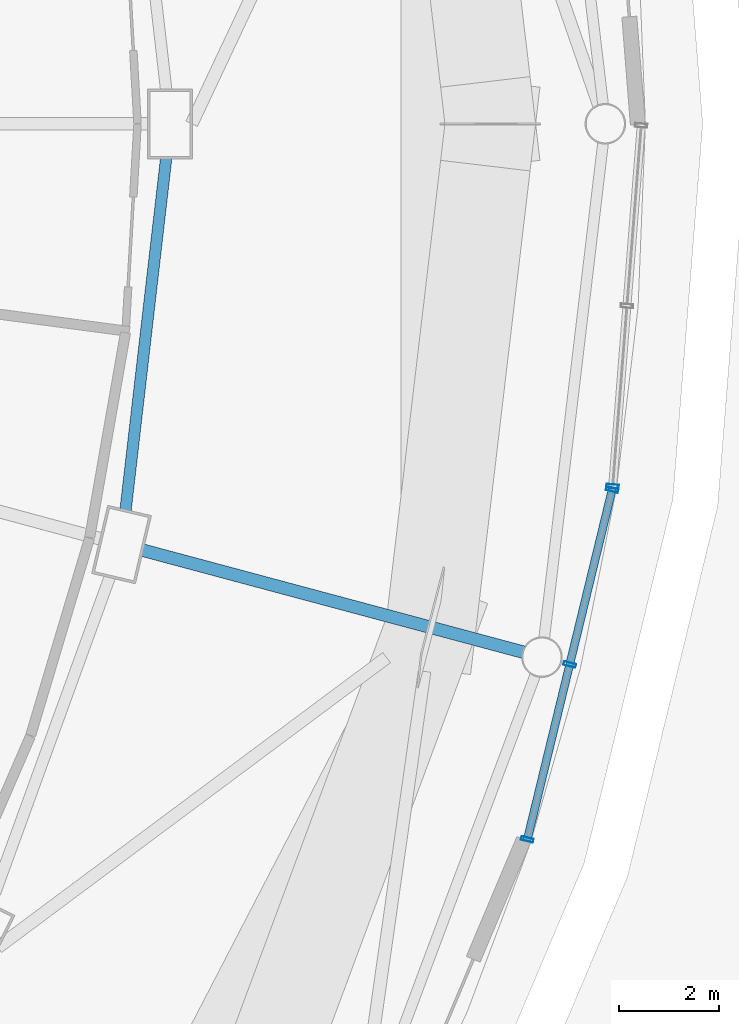
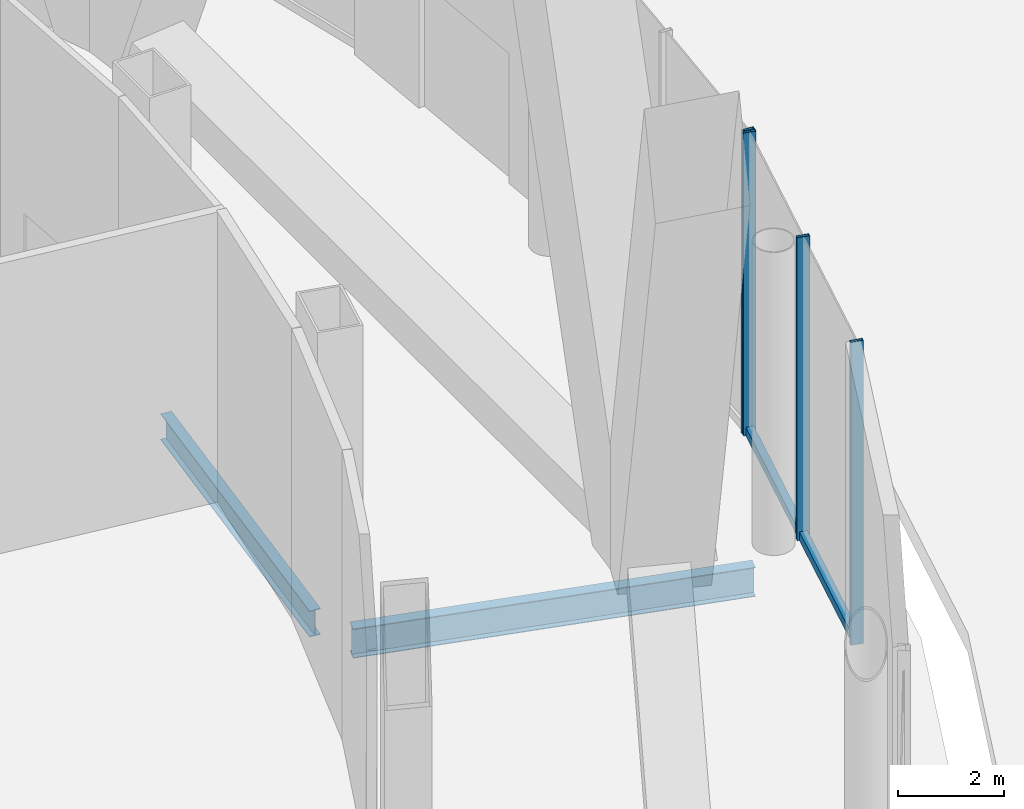
# One storey, part 34 of 67: 5 members, 2 beams, 2 elements without a shape of their own.
"""IFC4 building model written with IfcOpenShell, lengths in metres."""

from ifc_helpers import new_model, si_unit, direction, frame, origin, origin_2d, place, context, subcontext, project, spatial, hollow_rectangle, i_section, extrude, material, layer, layer_set, material_profile, profile_set, type_object, element, aggregate, save


model = new_model("IFC4")

# Units and contexts
model_context = context("Model", 3, precision=1e-05, world=origin(), true_north=direction((0.0, 1.0)))
body_context = subcontext(model_context, "Body", "Model", "MODEL_VIEW")
ifc_project = project(units=[si_unit("LENGTHUNIT", "METRE"), si_unit("AREAUNIT", "SQUARE_METRE"), si_unit("VOLUMEUNIT", "CUBIC_METRE"), si_unit("PLANEANGLEUNIT", "RADIAN"), si_unit("MASSUNIT", "GRAM", prefix="KILO")], contexts=[model_context])

# Site, building, storey
site_placement = place(None, origin())
site = spatial("IfcSite", under=ifc_project, at=site_placement, CompositionType="ELEMENT")
building_placement = place(site_placement, origin())
building = spatial("IfcBuilding", under=site, at=building_placement, Name="Nagisa Residences", CompositionType="ELEMENT")
storey_placement = place(building_placement, origin())
storey = spatial("IfcBuildingStorey", under=building, at=storey_placement, Name="L00", CompositionType="ELEMENT", Elevation=0.0)

# Beam
ifc_material_1 = material(Name="Steel ASTM A572 Gr 50", Category="steel")
ifc_material_profile_1 = material_profile(ifc_material_1, i_section(OverallWidth=0.2529296875, OverallDepth=0.677978515625, WebThickness=0.01171875, FlangeThickness=0.016357421875, at=origin_2d()), Name="W690x125")
ifc_profile_set_1 = profile_set([ifc_material_profile_1], Name="Steel ASTM A572 Gr 50")
beam_type_1 = type_object("IfcBeamType", Name="Atrium outer beam W690x125", PredefinedType="BEAM", material=ifc_profile_set_1)
beam_1_placement = place(storey_placement, frame((31.54443359375, -8.52294921875, -0.739013671875), z_axis=(0.965928422324, -0.258809356376, 0.0), x_axis=(0.258809356376, 0.965928422324, 0.0)))
element("IfcBeam", 1, at=beam_1_placement, inside=storey, type_object=beam_type_1, Name="beam:L00:er24", PredefinedType="BEAM", context=body_context, shape_type="SweptSolid", body=[
    extrude(i_section(OverallWidth=0.2529296875, OverallDepth=0.677978515625, WebThickness=0.01171875, FlangeThickness=0.016357421875, at=origin_2d()), origin(), (0.0, 0.0, 1.0), 7.88330078125),
])

# Curtain wall, members
ifc_material_2 = material(Name="Stainless steel curtain wall system", Category="steel")
ifc_layer = layer(ifc_material_2, 0.159912109375)
ifc_layer_set = layer_set([ifc_layer], Name="CW3 CURTAIN WALL")
curtain_wall_type = type_object("IfcCurtainWallType", Name="CW3 CURTAIN WALL", PredefinedType="NOTDEFINED", material=ifc_layer_set)
curtain_wall_1_placement = place(storey_placement, origin())
curtain_wall_1 = element("IfcCurtainWall", 2, at=curtain_wall_1_placement, inside=storey, type_object=curtain_wall_type, Name="cw:CW3:L00:34", PredefinedType="NOTDEFINED")
ifc_material_3 = material(Name="Stainless steel", Category="steel")
ifc_material_profile_2 = material_profile(ifc_material_3, hollow_rectangle(XDim=0.25, YDim=0.080078125, WallThickness=0.008056640625, at=origin_2d()), Name="CW3 MULLION 250x80")
ifc_profile_set_2 = profile_set([ifc_material_profile_2], Name="Stainless steel")
member_type_1 = type_object("IfcMemberType", Name="CW3 MULLION 250x80", PredefinedType="MULLION", material=ifc_profile_set_2)
member_1_placement = place(storey_placement, frame((39.239990234375, -14.30712890625, 0.0), z_axis=(0.0, 0.0, 1.0), x_axis=(-0.971848775146, 0.235605514043, 0.0)))
member_1 = element("IfcMember", 3, at=member_1_placement, type_object=member_type_1, Name="CW3 mullion", PredefinedType="MULLION", context=body_context, shape_type="SweptSolid", body=[
    extrude(hollow_rectangle(XDim=0.25, YDim=0.080078125, WallThickness=0.008056640625, at=origin_2d()), origin(), (0.0, 0.0, 1.0), 7.0),
])
member_2_placement = place(storey_placement, frame((40.087646484375, -10.810302734375, 0.0), z_axis=(0.0, 0.0, 1.0), x_axis=(-0.971848775146, 0.235605514043, 0.0)))
member_2 = element("IfcMember", 4, at=member_2_placement, type_object=member_type_1, Name="CW3 mullion", PredefinedType="MULLION", context=body_context, shape_type="SweptSolid", body=[
    extrude(hollow_rectangle(XDim=0.25, YDim=0.080078125, WallThickness=0.008056640625, at=origin_2d()), origin(), (0.0, 0.0, 1.0), 7.0),
])
member_3_placement = place(storey_placement, frame((40.935546875, -7.313232421875, 0.0), z_axis=(0.0, 0.0, 1.0), x_axis=(-0.971848775146, 0.235605514043, 0.0)))
member_3 = element("IfcMember", 5, at=member_3_placement, type_object=member_type_1, Name="CW3 mullion", PredefinedType="MULLION", context=body_context, shape_type="SweptSolid", body=[
    extrude(hollow_rectangle(XDim=0.25, YDim=0.080078125, WallThickness=0.008056640625, at=origin_2d()), origin(), (0.0, 0.0, 1.0), 7.0),
])

# Curtain wall, member
curtain_wall_2_placement = place(storey_placement, origin())
curtain_wall_2 = element("IfcCurtainWall", 6, at=curtain_wall_2_placement, inside=storey, type_object=curtain_wall_type, Name="cw:CW3:L00:35", PredefinedType="NOTDEFINED")
member_4_placement = place(storey_placement, frame((40.946044921875, -7.2470703125, 0.0), z_axis=(0.0, 0.0, 1.0), x_axis=(-0.996881777235, 0.078909582539, 0.0)))
member_4 = element("IfcMember", 7, at=member_4_placement, type_object=member_type_1, Name="CW3 mullion", PredefinedType="MULLION", context=body_context, shape_type="SweptSolid", body=[
    extrude(hollow_rectangle(XDim=0.25, YDim=0.080078125, WallThickness=0.008056640625, at=origin_2d()), origin(), (0.0, 0.0, 1.0), 7.0),
])
aggregate(curtain_wall_2, [member_4])

# Member
ifc_material_4 = material(Name="Stainless steel", Category="steel")
ifc_material_profile_3 = material_profile(ifc_material_4, hollow_rectangle(XDim=0.159912109375, YDim=0.199951171875, WallThickness=0.008056640625, at=origin_2d()), Name="CW3 TRANSOM 160x200")
ifc_profile_set_3 = profile_set([ifc_material_profile_3], Name="Stainless steel")
member_type_2 = type_object("IfcMemberType", Name="CW3 TRANSOM 160x200", PredefinedType="USERDEFINED", material=ifc_profile_set_3)
member_5_placement = place(storey_placement, frame((39.23046875, -14.345947265625, 0.10009765625), z_axis=(0.235637477095, 0.97184102578, 0.0), x_axis=(-0.97184102578, 0.235637477095, 0.0)))
member_5 = element("IfcMember", 8, at=member_5_placement, type_object=member_type_2, Name="CW3 transom", ObjectType="TRANSOM", PredefinedType="USERDEFINED", context=body_context, shape_type="SweptSolid", body=[
    extrude(hollow_rectangle(XDim=0.159912109375, YDim=0.199951171875, WallThickness=0.008056640625, at=origin_2d()), origin(), (0.0, 0.0, 1.0), 7.2763671875),
])

aggregate(curtain_wall_1, [member_1, member_2, member_3, member_5])

# Beam
ifc_material_5 = material(Name="Steel ASTM A572 Gr 50", Category="steel")
ifc_material_profile_4 = material_profile(ifc_material_5, i_section(OverallWidth=0.22802734375, OverallDepth=0.60302734375, WebThickness=0.010498046875, FlangeThickness=0.014892578125, at=origin_2d()), Name="W610x101")
ifc_profile_set_4 = profile_set([ifc_material_profile_4], Name="Steel ASTM A572 Gr 50")
beam_type_2 = type_object("IfcBeamType", Name="Perimeter ring beam W610x101", PredefinedType="BEAM", material=ifc_profile_set_4)
beam_2_placement = place(storey_placement, frame((31.20751953125, -7.7314453125, -0.701416015625), z_axis=(0.114673717321, 0.993403210462, 0.0), x_axis=(-0.993403210462, 0.114673717321, 0.0)))
element("IfcBeam", 9, at=beam_2_placement, inside=storey, type_object=beam_type_2, Name="beam:L00:pb24", PredefinedType="BEAM", context=body_context, shape_type="SweptSolid", body=[
    extrude(i_section(OverallWidth=0.22802734375, OverallDepth=0.60302734375, WebThickness=0.010498046875, FlangeThickness=0.014892578125, at=origin_2d()), origin(), (0.0, 0.0, 1.0), 7.09814453125),
])

save(model, "model.ifc")
